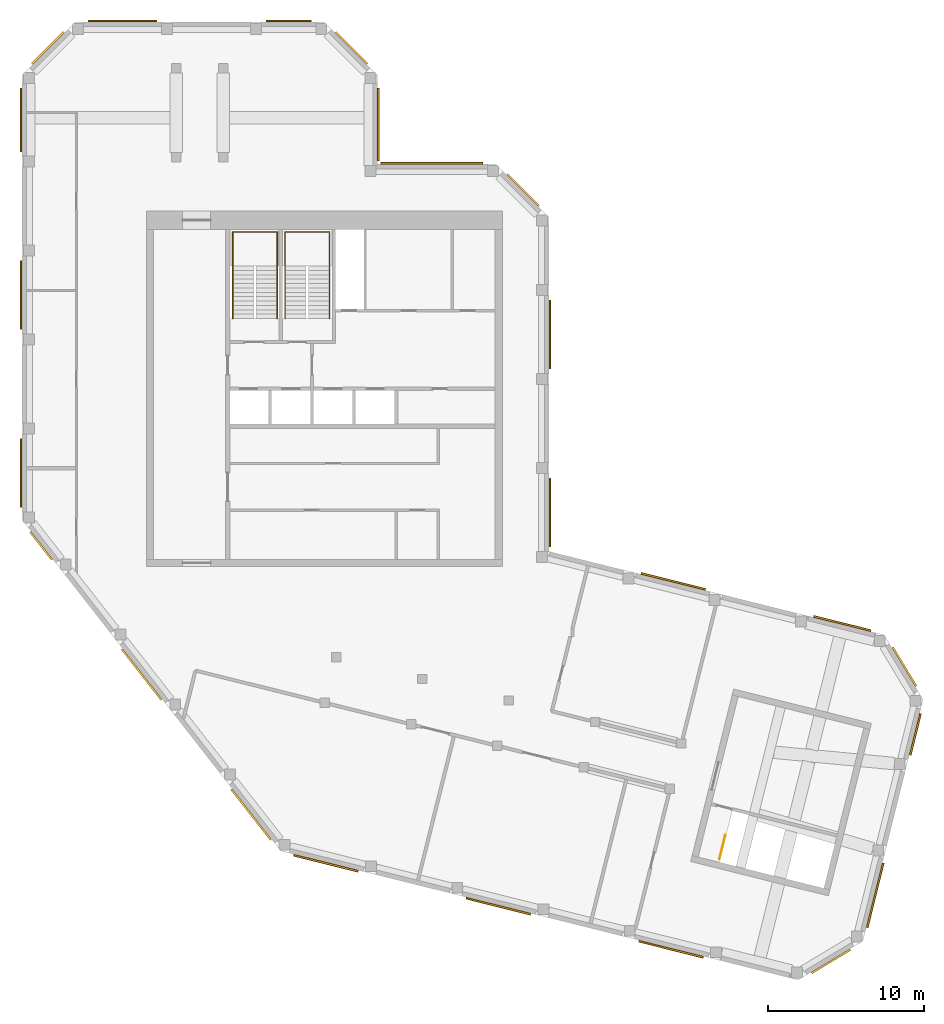
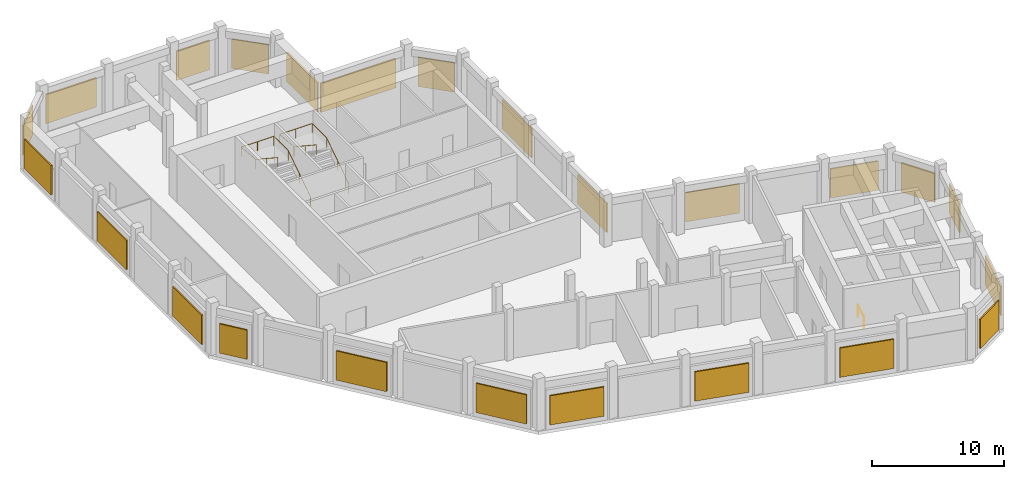
# One storey, part 5 of 5: 24 shading devices, 3 railings.
"""IFC4 building model written with IfcOpenShell, lengths in metres."""

from ifc_helpers import new_model, si_unit, direction, frame, origin, origin_2d, place, context, subcontext, project, spatial, rectangle, circle, extrude, material, layer, layer_set, type_object, element, save


model = new_model("IFC4")

# Units and contexts
model_context = context("Model", 3, precision=1e-05, world=origin(), true_north=direction((0.0, 1.0)))
body_context = subcontext(model_context, "Body", "Model", "MODEL_VIEW")
ifc_project = project(units=[si_unit("LENGTHUNIT", "METRE"), si_unit("AREAUNIT", "SQUARE_METRE"), si_unit("VOLUMEUNIT", "CUBIC_METRE"), si_unit("PLANEANGLEUNIT", "RADIAN"), si_unit("MASSUNIT", "GRAM", prefix="KILO")], contexts=[model_context])

# Site, building, storey
site_placement = place(None, origin())
site = spatial("IfcSite", under=ifc_project, at=site_placement, CompositionType="ELEMENT")
building_placement = place(site_placement, origin())
building = spatial("IfcBuilding", under=site, at=building_placement, Name="Meshkara Civic Tower", CompositionType="ELEMENT")
storey_placement = place(building_placement, frame((0.0, 0.0, 405.0)))
storey = spatial("IfcBuildingStorey", under=building, at=storey_placement, Name="L93 Crown", CompositionType="ELEMENT", Elevation=405.0)

# Shading devices
ifc_material_1 = material(Name="Bronze anodised aluminium louvre blades", Category="aluminium")
ifc_layer = layer(ifc_material_1, 0.1201171875)
ifc_layer_set = layer_set([ifc_layer], Name="CROWN LOUVRE BANK")
shading_device_type = type_object("IfcShadingDeviceType", Name="CROWN LOUVRE BANK", PredefinedType="USERDEFINED", material=ifc_layer_set)
shading_device_1_placement = place(storey_placement, frame((52.594970703125, 10.446044921875, 0.5), z_axis=(0.0, 0.0, 1.0), x_axis=(-0.970291503795, 0.241938830418, 0.0)))
element("IfcShadingDevice", 1, at=shading_device_1_placement, inside=storey, type_object=shading_device_type, Name="Louvre bank", ObjectType="LOUVRE", PredefinedType="USERDEFINED", context=body_context, shape_type="SweptSolid", body=[
    extrude(rectangle(XDim=3.76611328125, YDim=0.1201171875, at=origin_2d()), origin(), (0.0, 0.0, 1.0), 2.699951171875),
])
shading_device_2_placement = place(storey_placement, frame((41.76904296875, 13.14599609375, 0.5), z_axis=(0.0, 0.0, 1.0), x_axis=(-0.970291503795, 0.241938830418, 0.0)))
element("IfcShadingDevice", 2, at=shading_device_2_placement, inside=storey, type_object=shading_device_type, Name="Louvre bank", ObjectType="LOUVRE", PredefinedType="USERDEFINED", context=body_context, shape_type="SweptSolid", body=[
    extrude(rectangle(XDim=4.2509765625, YDim=0.1201171875, at=origin_2d()), origin(), (0.0, 0.0, 1.0), 2.699951171875),
])
for number, where, z_axis, x_axis, name in (
    (3, (33.860107421875, 17.569091796875, 0.5), (0.0, 0.0, 1.0), (0.0, 1.0, 0.0), "Louvre bank"),
    (4, (33.860107421875, 28.968994140625, 0.5), (0.0, 0.0, 1.0), (0.0, 1.0, 0.0), "Louvre bank"),
):
    element("IfcShadingDevice", number, at=place(storey_placement, frame(where, z_axis=z_axis, x_axis=x_axis)), inside=storey, type_object=shading_device_type, Name=name, ObjectType="LOUVRE", PredefinedType="USERDEFINED", context=body_context, shape_type="SweptSolid", body=[
        extrude(rectangle(XDim=4.39990234375, YDim=0.1201171875, at=origin_2d()), origin(), (0.0, 0.0, 1.0), 2.699951171875),
    ])
shading_device_3_placement = place(storey_placement, frame((32.132080078125, 38.23193359375, 0.5), z_axis=(0.0, 0.0, 1.0), x_axis=(-0.707106781187, 0.707106781187, 0.0)))
element("IfcShadingDevice", 5, at=shading_device_3_placement, inside=storey, type_object=shading_device_type, Name="Louvre bank", ObjectType="LOUVRE", PredefinedType="USERDEFINED", context=body_context, shape_type="SweptSolid", body=[
    extrude(rectangle(XDim=2.873046875, YDim=0.1201171875, at=origin_2d()), origin(), (0.0, 0.0, 1.0), 2.699951171875),
])
shading_device_4_placement = place(storey_placement, frame((26.27197265625, 39.9599609375, 0.5), z_axis=(0.0, 0.0, 1.0), x_axis=(-1.0, 0.0, 0.0)))
element("IfcShadingDevice", 6, at=shading_device_4_placement, inside=storey, type_object=shading_device_type, Name="Louvre bank", ObjectType="LOUVRE", PredefinedType="USERDEFINED", context=body_context, shape_type="SweptSolid", body=[
    extrude(rectangle(XDim=6.5439453125, YDim=0.1201171875, at=origin_2d()), origin(), (0.0, 0.0, 1.0), 2.699951171875),
])
shading_device_5_placement = place(storey_placement, frame((22.860107421875, 42.431884765625, 0.5), z_axis=(0.0, 0.0, 1.0), x_axis=(0.0, 1.0, 0.0)))
element("IfcShadingDevice", 7, at=shading_device_5_placement, inside=storey, type_object=shading_device_type, Name="Louvre bank", ObjectType="LOUVRE", PredefinedType="USERDEFINED", context=body_context, shape_type="SweptSolid", body=[
    extrude(rectangle(XDim=4.6640625, YDim=0.1201171875, at=origin_2d()), origin(), (0.0, 0.0, 1.0), 2.699951171875),
])
shading_device_6_placement = place(storey_placement, frame((21.132080078125, 47.35205078125, 0.5), z_axis=(0.0, 0.0, 1.0), x_axis=(-0.707106781187, 0.707106781187, 0.0)))
element("IfcShadingDevice", 8, at=shading_device_6_placement, inside=storey, type_object=shading_device_type, Name="Louvre bank", ObjectType="LOUVRE", PredefinedType="USERDEFINED", context=body_context, shape_type="SweptSolid", body=[
    extrude(rectangle(XDim=2.873046875, YDim=0.1201171875, at=origin_2d()), origin(), (0.0, 0.0, 1.0), 2.699951171875),
])
shading_device_7_placement = place(storey_placement, frame((17.10009765625, 49.080078125, 0.5), z_axis=(0.0, 0.0, 1.0), x_axis=(-1.0, 0.0, 0.0)))
element("IfcShadingDevice", 9, at=shading_device_7_placement, inside=storey, type_object=shading_device_type, Name="Louvre bank", ObjectType="LOUVRE", PredefinedType="USERDEFINED", context=body_context, shape_type="SweptSolid", body=[
    extrude(rectangle(XDim=2.887939453125, YDim=0.1201171875, at=origin_2d()), origin(), (0.0, 0.0, 1.0), 2.699951171875),
])
shading_device_8_placement = place(storey_placement, frame((6.4560546875, 49.080078125, 0.5), z_axis=(0.0, 0.0, 1.0), x_axis=(-1.0, 0.0, 0.0)))
element("IfcShadingDevice", 10, at=shading_device_8_placement, inside=storey, type_object=shading_device_type, Name="Louvre bank", ObjectType="LOUVRE", PredefinedType="USERDEFINED", context=body_context, shape_type="SweptSolid", body=[
    extrude(rectangle(XDim=4.39990234375, YDim=0.1201171875, at=origin_2d()), origin(), (0.0, 0.0, 1.0), 2.699951171875),
])
shading_device_9_placement = place(storey_placement, frame((1.66796875, 47.35205078125, 0.5), z_axis=(0.0, 0.0, 1.0), x_axis=(-0.707106781187, -0.707106781187, 0.0)))
element("IfcShadingDevice", 11, at=shading_device_9_placement, inside=storey, type_object=shading_device_type, Name="Louvre bank", ObjectType="LOUVRE", PredefinedType="USERDEFINED", context=body_context, shape_type="SweptSolid", body=[
    extrude(rectangle(XDim=2.873046875, YDim=0.1201171875, at=origin_2d()), origin(), (0.0, 0.0, 1.0), 2.699951171875),
])
shading_device_10_placement = place(storey_placement, frame((-0.06005859375, 42.73388671875, 0.5), z_axis=(0.0, 0.0, 1.0), x_axis=(0.0, -1.0, 0.0)))
element("IfcShadingDevice", 12, at=shading_device_10_placement, inside=storey, type_object=shading_device_type, Name="Louvre bank", ObjectType="LOUVRE", PredefinedType="USERDEFINED", context=body_context, shape_type="SweptSolid", body=[
    extrude(rectangle(XDim=4.05908203125, YDim=0.1201171875, at=origin_2d()), origin(), (0.0, 0.0, 1.0), 2.699951171875),
])
for number, where, z_axis, x_axis, name in (
    (13, (-0.06005859375, 31.5048828125, 0.5), (0.0, 0.0, 1.0), (0.0, -1.0, 0.0), "Louvre bank"),
    (14, (-0.06005859375, 20.10498046875, 0.5), (0.0, 0.0, 1.0), (0.0, -1.0, 0.0), "Louvre bank"),
):
    element("IfcShadingDevice", number, at=place(storey_placement, frame(where, z_axis=z_axis, x_axis=x_axis)), inside=storey, type_object=shading_device_type, Name=name, ObjectType="LOUVRE", PredefinedType="USERDEFINED", context=body_context, shape_type="SweptSolid", body=[
        extrude(rectangle(XDim=4.39990234375, YDim=0.1201171875, at=origin_2d()), origin(), (0.0, 0.0, 1.0), 2.699951171875),
    ])
shading_device_11_placement = place(storey_placement, frame((1.22998046875, 15.427978515625, 0.5), z_axis=(0.0, 0.0, 1.0), x_axis=(0.615661475326, -0.788010753607, 0.0)))
element("IfcShadingDevice", 15, at=shading_device_11_placement, inside=storey, type_object=shading_device_type, Name="Louvre bank", ObjectType="LOUVRE", PredefinedType="USERDEFINED", context=body_context, shape_type="SweptSolid", body=[
    extrude(rectangle(XDim=2.257080078125, YDim=0.1201171875, at=origin_2d()), origin(), (0.0, 0.0, 1.0), 2.699951171875),
])
for number, where, z_axis, x_axis, name in (
    (16, (7.676025390625, 7.177001953125, 0.5), (0.0, 0.0, 1.0), (0.615661475326, -0.788010753607, 0.0), "Louvre bank"),
    (17, (14.695068359375, -1.805908203125, 0.5), (0.0, 0.0, 1.0), (0.615661475326, -0.788010753607, 0.0), "Louvre bank"),
):
    element("IfcShadingDevice", number, at=place(storey_placement, frame(where, z_axis=z_axis, x_axis=x_axis)), inside=storey, type_object=shading_device_type, Name=name, ObjectType="LOUVRE", PredefinedType="USERDEFINED", context=body_context, shape_type="SweptSolid", body=[
        extrude(rectangle(XDim=4.117919921875, YDim=0.1201171875, at=origin_2d()), origin(), (0.0, 0.0, 1.0), 2.699951171875),
    ])
for number, where, z_axis, x_axis, name in (
    (18, (19.492919921875, -4.922119140625, 0.5), (0.0, 0.0, 1.0), (0.970295726276, -0.2419218956, 0.0), "Louvre bank"),
    (19, (30.553955078125, -7.679931640625, 0.5), (0.0, 0.0, 1.0), (0.970295726276, -0.2419218956, 0.0), "Louvre bank"),
):
    element("IfcShadingDevice", number, at=place(storey_placement, frame(where, z_axis=z_axis, x_axis=x_axis)), inside=storey, type_object=shading_device_type, Name=name, ObjectType="LOUVRE", PredefinedType="USERDEFINED", context=body_context, shape_type="SweptSolid", body=[
        extrude(rectangle(XDim=4.251953125, YDim=0.1201171875, at=origin_2d()), origin(), (0.0, 0.0, 1.0), 2.699951171875),
    ])
shading_device_12_placement = place(storey_placement, frame((41.615966796875, -10.43798828125, 0.5), z_axis=(0.0, 0.0, 1.0), x_axis=(0.970295726276, -0.2419218956, 0.0)))
element("IfcShadingDevice", 20, at=shading_device_12_placement, inside=storey, type_object=shading_device_type, Name="Louvre bank", ObjectType="LOUVRE", PredefinedType="USERDEFINED", context=body_context, shape_type="SweptSolid", body=[
    extrude(rectangle(XDim=4.2509765625, YDim=0.1201171875, at=origin_2d()), origin(), (0.0, 0.0, 1.0), 2.699951171875),
])
shading_device_13_placement = place(storey_placement, frame((51.8798828125, -11.217041015625, 0.5), z_axis=(0.0, 0.0, 1.0), x_axis=(0.8571852784, 0.515008153813, 0.0)))
element("IfcShadingDevice", 21, at=shading_device_13_placement, inside=storey, type_object=shading_device_type, Name="Louvre bank", ObjectType="LOUVRE", PredefinedType="USERDEFINED", context=body_context, shape_type="SweptSolid", body=[
    extrude(rectangle(XDim=2.903076171875, YDim=0.1201171875, at=origin_2d()), origin(), (0.0, 0.0, 1.0), 2.699951171875),
])
shading_device_14_placement = place(storey_placement, frame((54.715087890625, -6.988037109375, 0.5), z_axis=(0.0, 0.0, 1.0), x_axis=(0.2419218956, 0.970295726276, 0.0)))
element("IfcShadingDevice", 22, at=shading_device_14_placement, inside=storey, type_object=shading_device_type, Name="Louvre bank", ObjectType="LOUVRE", PredefinedType="USERDEFINED", context=body_context, shape_type="SweptSolid", body=[
    extrude(rectangle(XDim=4.251953125, YDim=0.1201171875, at=origin_2d()), origin(), (0.0, 0.0, 1.0), 2.699951171875),
])
shading_device_15_placement = place(storey_placement, frame((57.2900390625, 3.339111328125, 0.5), z_axis=(0.0, 0.0, 1.0), x_axis=(0.2419218956, 0.970295726276, 0.0)))
element("IfcShadingDevice", 23, at=shading_device_15_placement, inside=storey, type_object=shading_device_type, Name="Louvre bank", ObjectType="LOUVRE", PredefinedType="USERDEFINED", context=body_context, shape_type="SweptSolid", body=[
    extrude(rectangle(XDim=2.739013671875, YDim=0.1201171875, at=origin_2d()), origin(), (0.0, 0.0, 1.0), 2.699951171875),
])
shading_device_16_placement = place(storey_placement, frame((56.589111328125, 7.669921875, 0.5), z_axis=(0.0, 0.0, 1.0), x_axis=(-0.515008153813, 0.8571852784, 0.0)))
element("IfcShadingDevice", 24, at=shading_device_16_placement, inside=storey, type_object=shading_device_type, Name="Louvre bank", ObjectType="LOUVRE", PredefinedType="USERDEFINED", context=body_context, shape_type="SweptSolid", body=[
    extrude(rectangle(XDim=2.903076171875, YDim=0.1201171875, at=origin_2d()), origin(), (0.0, 0.0, 1.0), 2.699951171875),
])

# Railings
ifc_material_2 = material(Name="Steel guard", Category="steel")
railing_type_1 = type_object("IfcRailingType", Name="Stair guard 1100", PredefinedType="GUARDRAIL", material=ifc_material_2)
railing_1_placement = place(storey_placement, frame((44.727783203125, -4.6328125, 0.0)))
element("IfcRailing", 25, at=railing_1_placement, inside=storey, type_object=railing_type_1, Name="L93 Crown ESB7 top well guard 1", PredefinedType="GUARDRAIL", context=body_context, shape_type="SweptSolid", body=[
    extrude(circle(Radius=0.02392578125, at=origin_2d()), frame((0.0, 0.0, 1.076171875), z_axis=(0.24209086911, 0.97025358082, 0.0), x_axis=(-0.97025358082, 0.24209086911, 0.0)), (0.0, 0.0, 1.0), 1.550048828125),
    extrude(circle(Radius=0.02099609375, at=origin_2d()), origin(), (0.0, 0.0, 1.0), 1.052001953125),
    extrude(circle(Radius=0.02099609375, at=origin_2d()), frame((0.375244140625, 1.50390625, 0.0)), (0.0, 0.0, 1.0), 1.052001953125),
])
ifc_material_3 = material(Name="Steel handrail", Category="steel")
railing_type_2 = type_object("IfcRailingType", Name="Stair handrail 900", PredefinedType="HANDRAIL", material=ifc_material_3)
railing_2_placement = place(storey_placement, frame((16.375, 30.0, 0.1845703125)))
element("IfcRailing", 26, at=railing_2_placement, inside=storey, type_object=railing_type_2, Name="L93 Crown ST1 stair handrail 1", PredefinedType="HANDRAIL", context=body_context, shape_type="SweptSolid", body=[
    extrude(circle(Radius=0.02392578125, at=origin_2d()), frame((0.0, 0.0, 0.8759765625), z_axis=(0.0, 0.834876476806, 0.550437342915), x_axis=(-1.0, 0.0, 0.0)), (0.0, 0.0, 1.0), 4.024658203125),
    extrude(circle(Radius=0.02392578125, at=origin_2d()), frame((0.0, 3.360107421875, 3.09130859375), z_axis=(0.0, 1.0, 0.0), x_axis=(-1.0, 0.0, 0.0)), (0.0, 0.0, 1.0), 2.18994140625),
    extrude(circle(Radius=0.02392578125, at=origin_2d()), frame((0.0, 5.550048828125, 3.09130859375), z_axis=(-1.0, 0.0, 0.0), x_axis=(0.0, -1.0, 0.0)), (0.0, 0.0, 1.0), 2.85009765625),
    extrude(circle(Radius=0.02392578125, at=origin_2d()), frame((-2.85009765625, 5.550048828125, 3.09130859375), z_axis=(0.0, -0.996457869109, 0.08409349018), x_axis=(1.0, 0.0, 0.0)), (0.0, 0.0, 1.0), 2.19775390625),
    extrude(circle(Radius=0.02392578125, at=origin_2d()), frame((-2.85009765625, 3.360107421875, 3.27587890625), z_axis=(0.0, -0.834876476806, 0.550437342915), x_axis=(1.0, 0.0, 0.0)), (0.0, 0.0, 1.0), 4.024658203125),
    extrude(circle(Radius=0.02099609375, at=origin_2d()), origin(), (0.0, 0.0, 1.0), 0.851806640625),
    extrude(circle(Radius=0.02099609375, at=origin_2d()), frame((0.0, 1.68017578125, 1.107666015625)), (0.0, 0.0, 1.0), 0.851806640625),
    extrude(circle(Radius=0.02099609375, at=origin_2d()), frame((0.0, 3.360107421875, 2.21533203125)), (0.0, 0.0, 1.0), 0.851806640625),
    extrude(circle(Radius=0.02099609375, at=origin_2d()), frame((0.0, 5.550048828125, 2.21533203125)), (0.0, 0.0, 1.0), 0.851806640625),
    extrude(circle(Radius=0.02099609375, at=origin_2d()), frame((-1.425048828125, 5.550048828125, 2.21533203125)), (0.0, 0.0, 1.0), 0.851806640625),
    extrude(circle(Radius=0.02099609375, at=origin_2d()), frame((-2.85009765625, 5.550048828125, 2.21533203125)), (0.0, 0.0, 1.0), 0.851806640625),
    extrude(circle(Radius=0.02099609375, at=origin_2d()), frame((-2.85009765625, 3.360107421875, 2.400146484375)), (0.0, 0.0, 1.0), 0.851806640625),
    extrude(circle(Radius=0.02099609375, at=origin_2d()), frame((-2.85009765625, 1.68017578125, 3.5078125)), (0.0, 0.0, 1.0), 0.851806640625),
    extrude(circle(Radius=0.02099609375, at=origin_2d()), frame((-2.85009765625, 0.0, 4.615478515625)), (0.0, 0.0, 1.0), 0.851806640625),
])
railing_3_placement = place(storey_placement, frame((19.72509765625, 30.0, 0.1845703125)))
element("IfcRailing", 27, at=railing_3_placement, inside=storey, type_object=railing_type_2, Name="L93 Crown ST2 stair handrail 1", PredefinedType="HANDRAIL", context=body_context, shape_type="SweptSolid", body=[
    extrude(circle(Radius=0.02392578125, at=origin_2d()), frame((0.0, 0.0, 0.8759765625), z_axis=(0.0, 0.834876476806, 0.550437342915), x_axis=(-1.0, 0.0, 0.0)), (0.0, 0.0, 1.0), 4.024658203125),
    extrude(circle(Radius=0.02392578125, at=origin_2d()), frame((0.0, 3.360107421875, 3.09130859375), z_axis=(0.0, 1.0, 0.0), x_axis=(-1.0, 0.0, 0.0)), (0.0, 0.0, 1.0), 2.18994140625),
    extrude(circle(Radius=0.02392578125, at=origin_2d()), frame((0.0, 5.550048828125, 3.09130859375), z_axis=(-1.0, 0.0, 0.0), x_axis=(0.0, -1.0, 0.0)), (0.0, 0.0, 1.0), 2.85009765625),
    extrude(circle(Radius=0.02392578125, at=origin_2d()), frame((-2.85009765625, 5.550048828125, 3.09130859375), z_axis=(0.0, -0.996457869109, 0.08409349018), x_axis=(1.0, 0.0, 0.0)), (0.0, 0.0, 1.0), 2.19775390625),
    extrude(circle(Radius=0.02392578125, at=origin_2d()), frame((-2.85009765625, 3.360107421875, 3.27587890625), z_axis=(0.0, -0.834876476806, 0.550437342915), x_axis=(1.0, 0.0, 0.0)), (0.0, 0.0, 1.0), 4.024658203125),
    extrude(circle(Radius=0.02099609375, at=origin_2d()), origin(), (0.0, 0.0, 1.0), 0.851806640625),
    extrude(circle(Radius=0.02099609375, at=origin_2d()), frame((0.0, 1.68017578125, 1.107666015625)), (0.0, 0.0, 1.0), 0.851806640625),
    extrude(circle(Radius=0.02099609375, at=origin_2d()), frame((0.0, 3.360107421875, 2.21533203125)), (0.0, 0.0, 1.0), 0.851806640625),
    extrude(circle(Radius=0.02099609375, at=origin_2d()), frame((0.0, 5.550048828125, 2.21533203125)), (0.0, 0.0, 1.0), 0.851806640625),
    extrude(circle(Radius=0.02099609375, at=origin_2d()), frame((-1.425048828125, 5.550048828125, 2.21533203125)), (0.0, 0.0, 1.0), 0.851806640625),
    extrude(circle(Radius=0.02099609375, at=origin_2d()), frame((-2.85009765625, 5.550048828125, 2.21533203125)), (0.0, 0.0, 1.0), 0.851806640625),
    extrude(circle(Radius=0.02099609375, at=origin_2d()), frame((-2.85009765625, 3.360107421875, 2.400146484375)), (0.0, 0.0, 1.0), 0.851806640625),
    extrude(circle(Radius=0.02099609375, at=origin_2d()), frame((-2.85009765625, 1.68017578125, 3.5078125)), (0.0, 0.0, 1.0), 0.851806640625),
    extrude(circle(Radius=0.02099609375, at=origin_2d()), frame((-2.85009765625, 0.0, 4.615478515625)), (0.0, 0.0, 1.0), 0.851806640625),
])

save(model, "model.ifc")
